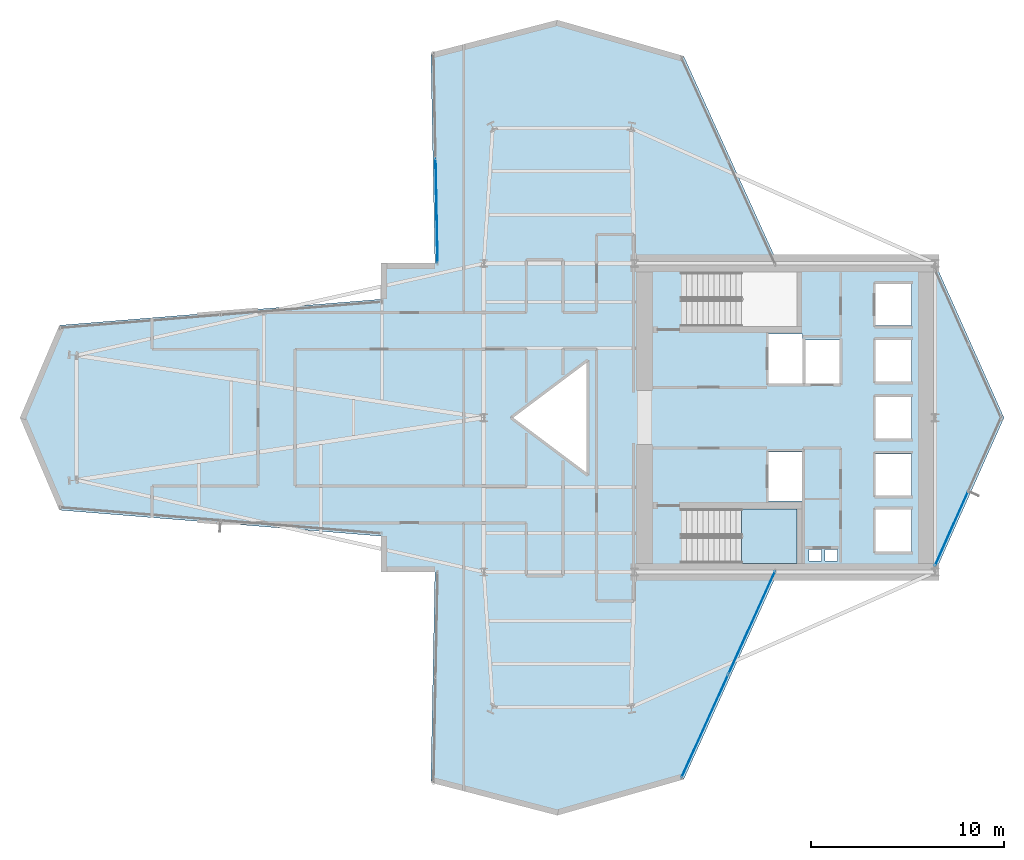
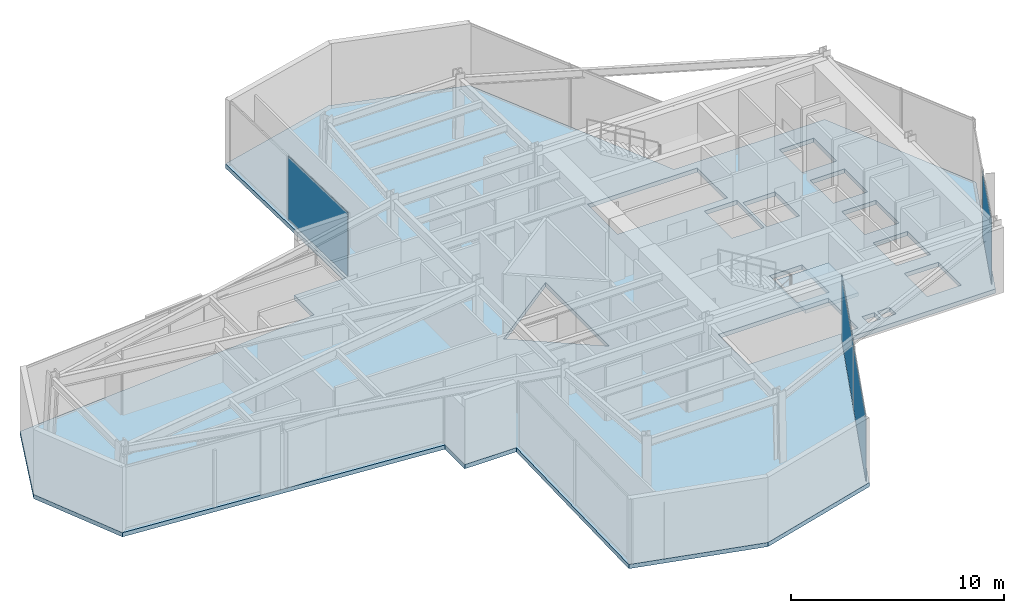
# One storey, part 20 of 25: 4 plates, 2 slabs, 4 elements without a shape of their own.
"""IFC4 building model written with IfcOpenShell, lengths in metres."""

from ifc_helpers import new_model, si_unit, direction, frame, origin, origin_2d, place, context, subcontext, project, spatial, polyline, rectangle, outline, extrude, material, layer, layer_set, type_object, element, aggregate, save


model = new_model("IFC4")

# Units and contexts
model_context = context("Model", 3, precision=1e-05, world=origin(), true_north=direction((0.0, 1.0)))
body_context = subcontext(model_context, "Body", "Model", "MODEL_VIEW")
ifc_project = project(units=[si_unit("LENGTHUNIT", "METRE"), si_unit("AREAUNIT", "SQUARE_METRE"), si_unit("VOLUMEUNIT", "CUBIC_METRE"), si_unit("PLANEANGLEUNIT", "RADIAN"), si_unit("MASSUNIT", "GRAM", prefix="KILO")], contexts=[model_context])

# Site, building, storey
site_placement = place(None, origin())
site = spatial("IfcSite", under=ifc_project, at=site_placement, CompositionType="ELEMENT")
building_placement = place(site_placement, origin())
building = spatial("IfcBuilding", under=site, at=building_placement, Name="Veymaron Broadcast Tower", CompositionType="ELEMENT")
storey_placement = place(building_placement, frame((0.0, 0.0, 102.60009765625)))
storey = spatial("IfcBuildingStorey", under=building, at=storey_placement, Name="L23", CompositionType="ELEMENT", Elevation=102.60009765625)

# Curtain wall, plate
ifc_material_1 = material(Name="Anodised aluminium AA 6063-T6 and laminated low-E dark glass", Category="aluminium")
ifc_layer_1 = layer(ifc_material_1, 0.179931640625)
ifc_layer_set_1 = layer_set([ifc_layer_1], Name="Anodised aluminium AA 6063-T6 and laminated low-E dark glass")
curtain_wall_type = type_object("IfcCurtainWallType", Name="CW-SYS-02", PredefinedType="NOTDEFINED", material=ifc_layer_set_1)
curtain_wall_1_placement = place(storey_placement, origin())
curtain_wall_1 = element("IfcCurtainWall", 1, at=curtain_wall_1_placement, inside=storey, type_object=curtain_wall_type, Name="L23 dark-glass curtain wall CW-L23-E2-1", PredefinedType="NOTDEFINED")
ifc_material_2 = material(Name="Double-silver solar-control dark glass IGU 32 mm", Category="glass")
ifc_layer_2 = layer(ifc_material_2, 0.031982421875)
ifc_layer_set_2 = layer_set([ifc_layer_2], Name="Double-silver solar-control dark glass IGU 32 mm")
plate_type = type_object("IfcPlateType", Name="CW-PNL-02", PredefinedType="CURTAIN_PANEL", material=ifc_layer_set_2)
plate_1_placement = place(storey_placement, frame((55.45068359375, 18.25, 0.0400390625), z_axis=(0.0, 0.0, 1.0), x_axis=(0.407517768669, 0.913197277821, 0.0)))
plate_1 = element("IfcPlate", 2, at=plate_1_placement, type_object=plate_type, Name="CW-L23-E2-1 unitised curtain panel 0", PredefinedType="CURTAIN_PANEL", context=body_context, shape_type="SweptSolid", body=[
    extrude(rectangle(XDim=4.17919921875, YDim=0.031982421875, at=origin_2d()), origin(), (0.0, 0.0, 1.0), 3.64990234375),
])
aggregate(curtain_wall_1, [plate_1])

curtain_wall_2_placement = place(storey_placement, origin())
curtain_wall_2 = element("IfcCurtainWall", 3, at=curtain_wall_2_placement, inside=storey, type_object=curtain_wall_type, Name="L23 dark-glass curtain wall CW-L23-E8-1", PredefinedType="NOTDEFINED")
plate_2_placement = place(storey_placement, frame((28.751708984375, 34.730224609375, 0.0400390625), z_axis=(0.0, 0.0, 1.0), x_axis=(0.019354492847, -0.99981268426, 0.0)))
plate_2 = element("IfcPlate", 4, at=plate_2_placement, type_object=plate_type, Name="CW-L23-E8-1 unitised curtain panel 1", PredefinedType="CURTAIN_PANEL", context=body_context, shape_type="SweptSolid", body=[
    extrude(rectangle(XDim=5.39599609375, YDim=0.031982421875, at=origin_2d()), origin(), (0.0, 0.0, 1.0), 3.64990234375),
])
aggregate(curtain_wall_2, [plate_2])

# Curtain wall, plates
curtain_wall_3_placement = place(storey_placement, origin())
curtain_wall_3 = element("IfcCurtainWall", 5, at=curtain_wall_3_placement, inside=storey, type_object=curtain_wall_type, Name="L23 dark-glass curtain wall CW-L23-E20-1", PredefinedType="NOTDEFINED")
plate_3_placement = place(storey_placement, frame((42.65673828125, 8.002685546875, 0.0400390625), z_axis=(0.0, 0.0, 1.0), x_axis=(0.41300906099, 0.910726916007, 0.0)))
plate_3 = element("IfcPlate", 6, at=plate_3_placement, type_object=plate_type, Name="CW-L23-E20-1 unitised curtain panel 0", PredefinedType="CURTAIN_PANEL", context=body_context, shape_type="SweptSolid", body=[
    extrude(rectangle(XDim=5.83642578125, YDim=0.031982421875, at=origin_2d()), origin(), (0.0, 0.0, 1.0), 3.64990234375),
])
plate_4_placement = place(storey_placement, frame((45.092041015625, 13.372802734375, 0.0400390625), z_axis=(0.0, 0.0, 1.0), x_axis=(0.41300906099, 0.910726916007, 0.0)))
plate_4 = element("IfcPlate", 7, at=plate_4_placement, type_object=plate_type, Name="CW-L23-E20-1 unitised curtain panel 1", PredefinedType="CURTAIN_PANEL", context=body_context, shape_type="SweptSolid", body=[
    extrude(rectangle(XDim=5.83642578125, YDim=0.031982421875, at=origin_2d()), origin(), (0.0, 0.0, 1.0), 3.64990234375),
])
aggregate(curtain_wall_3, [plate_3, plate_4])

# Slab
ifc_material_3 = material(Name="Concrete C40/50", Category="concrete")
ifc_layer_3 = layer(ifc_material_3, 0.239990234375)
ifc_layer_set_3 = layer_set([ifc_layer_3], Name="Concrete C40/50")
slab_type_1 = type_object("IfcSlabType", Name="SLAB-FS6", PredefinedType="FLOOR", material=ifc_layer_set_3)
slab_1_placement = place(storey_placement, frame((0.0, 0.0, -0.239990234375)))
element("IfcSlab", 8, at=slab_1_placement, inside=storey, type_object=slab_type_1, Name="L23 structural floor slab", PredefinedType="FLOOR", context=body_context, shape_type="SweptSolid", body=[
    extrude(outline(polyline([(46.437255859375, 16.0), (54.60009765625, 16.0), (58.169921875, 24.0), (54.60009765625, 32.0), (46.437255859375, 32.0), (41.566650390625, 42.739990234375), (35.010009765625, 44.610107421875), (28.453369140625, 42.909912109375), (28.66455078125, 32.0), (25.8798828125, 32.0), (25.8798828125, 30.142578125), (9.199951171875, 28.79150390625), (7.159912109375, 24.0), (9.199951171875, 19.20849609375), (25.8798828125, 17.857421875), (25.8798828125, 16.0), (28.66455078125, 16.0), (28.453369140625, 5.090087890625), (35.010009765625, 3.389892578125), (41.566650390625, 5.260009765625), (46.437255859375, 16.0)]), holes=[polyline([(45.969970703125, 28.330078125), (47.72998046875, 28.330078125), (47.72998046875, 25.77001953125), (45.969970703125, 25.77001953125), (45.969970703125, 28.330078125)]), polyline([(45.969970703125, 22.22998046875), (47.72998046875, 22.22998046875), (47.72998046875, 19.669921875), (45.969970703125, 19.669921875), (45.969970703125, 22.22998046875)]), polyline([(47.8701171875, 28.030029296875), (49.6298828125, 28.030029296875), (49.6298828125, 25.77001953125), (47.8701171875, 25.77001953125), (47.8701171875, 28.030029296875)]), polyline([(51.52001953125, 30.929931640625), (53.3798828125, 30.929931640625), (53.3798828125, 28.77001953125), (51.52001953125, 28.77001953125), (51.52001953125, 30.929931640625)]), polyline([(51.52001953125, 28.030029296875), (53.3798828125, 28.030029296875), (53.3798828125, 25.8701171875), (51.52001953125, 25.8701171875), (51.52001953125, 28.030029296875)]), polyline([(51.52001953125, 22.1298828125), (53.3798828125, 22.1298828125), (53.3798828125, 19.969970703125), (51.52001953125, 19.969970703125), (51.52001953125, 22.1298828125)]), polyline([(51.52001953125, 25.080078125), (53.3798828125, 25.080078125), (53.3798828125, 22.919921875), (51.52001953125, 22.919921875), (51.52001953125, 25.080078125)]), polyline([(51.52001953125, 19.22998046875), (53.3798828125, 19.22998046875), (53.3798828125, 17.070068359375), (51.52001953125, 17.070068359375), (51.52001953125, 19.22998046875)]), polyline([(48.050048828125, 17.159912109375), (48.719970703125, 17.159912109375), (48.719970703125, 16.56005859375), (48.050048828125, 16.56005859375), (48.050048828125, 17.159912109375)]), polyline([(48.8798828125, 17.159912109375), (49.550048828125, 17.159912109375), (49.550048828125, 16.56005859375), (48.8798828125, 16.56005859375), (48.8798828125, 17.159912109375)]), polyline([(36.60009765625, 27.0), (36.60009765625, 21.0), (32.60009765625, 24.0), (36.60009765625, 27.0)]), polyline([(41.489990234375, 31.550048828125), (47.43994140625, 31.550048828125), (47.43994140625, 28.72998046875), (41.489990234375, 28.72998046875), (41.489990234375, 31.550048828125)]), polyline([(41.489990234375, 19.27001953125), (47.43994140625, 19.27001953125), (47.43994140625, 16.449951171875), (41.489990234375, 16.449951171875), (41.489990234375, 19.27001953125)])]), origin(), (0.0, 0.0, 1.0), 0.239990234375),
])

# Stair, slab
ifc_material_4 = material(Name="Concrete C50/60", Category="concrete")
stair_type = type_object("IfcStairType", Name="STAIR-CORE-2", PredefinedType="HALF_TURN_STAIR", material=ifc_material_4)
stair_placement = place(storey_placement, origin())
stair = element("IfcStair", 9, at=stair_placement, inside=storey, type_object=stair_type, Name="L23 South protected dog-leg exit stair ST2", PredefinedType="HALF_TURN_STAIR")
ifc_layer_4 = layer(ifc_material_4, 0.199951171875)
ifc_layer_set_4 = layer_set([ifc_layer_4], Name="Concrete C50/60")
slab_type_2 = type_object("IfcSlabType", Name="SLAB-STAIR-LDG", PredefinedType="LANDING", material=ifc_layer_set_4)
slab_2_placement = place(storey_placement, frame((0.0, 0.0, 1.824951171875)))
slab_2 = element("IfcSlab", 10, at=slab_2_placement, type_object=slab_type_2, Name="ST2 landing 1", PredefinedType="LANDING", context=body_context, shape_type="SweptSolid", body=[
    extrude(outline(polyline([(44.56494140625, 16.449951171875), (47.43994140625, 16.449951171875), (47.43994140625, 19.27001953125), (44.56494140625, 19.27001953125), (44.56494140625, 16.449951171875)])), origin(), (0.0, 0.0, 1.0), 0.199951171875),
])
aggregate(stair, [slab_2])

save(model, "model.ifc")
